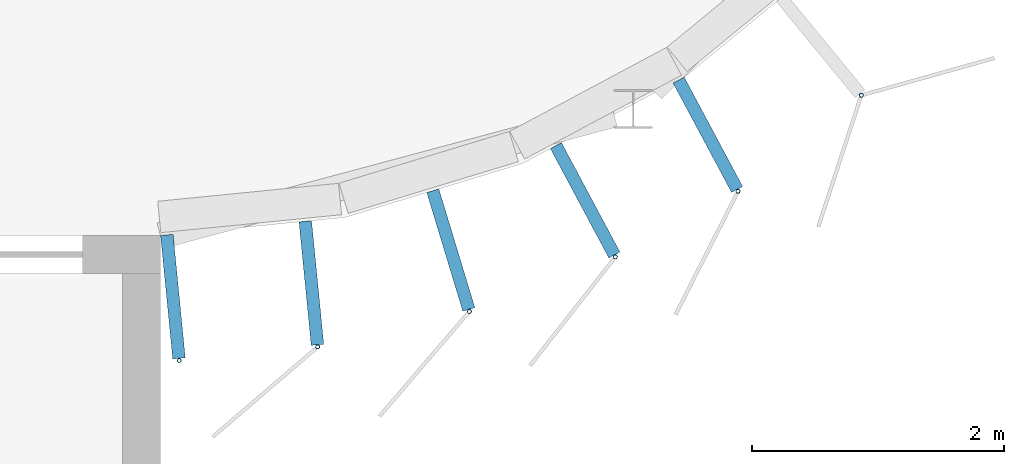
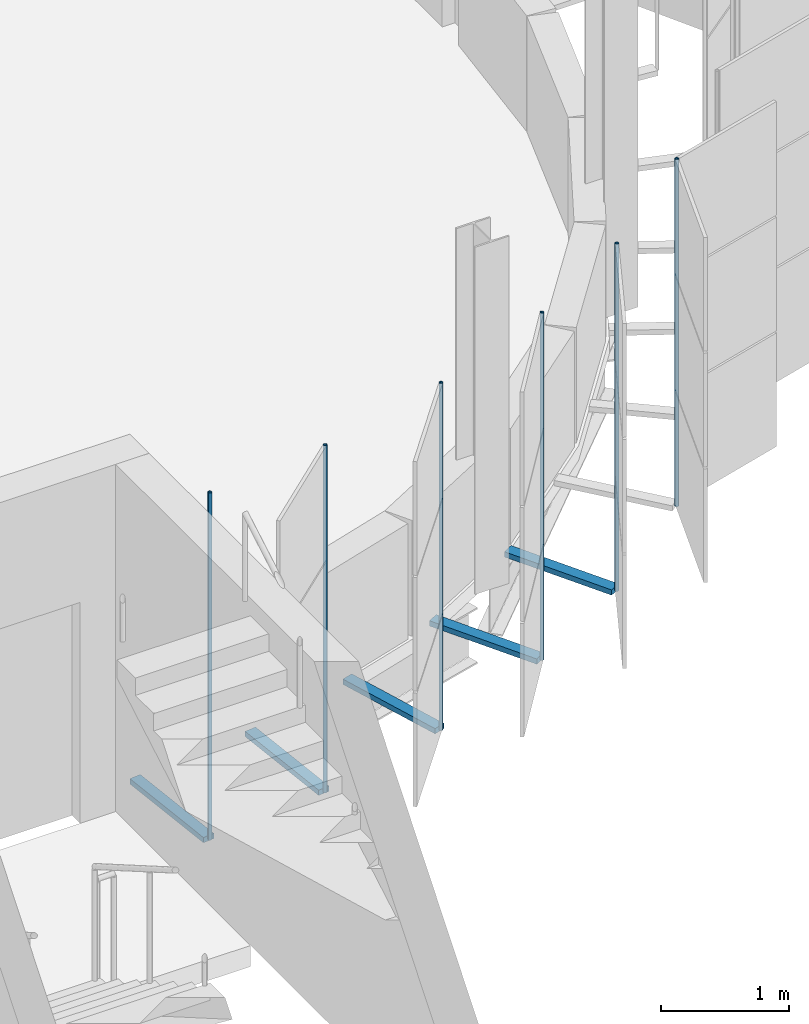
# One storey, part 92 of 199: 11 discrete accessories.
"""IFC4 building model written with IfcOpenShell, lengths in metres."""

from ifc_helpers import new_model, si_unit, direction, frame, origin, origin_2d, place, context, subcontext, project, spatial, rectangle, hollow_circle, extrude, material, material_profile, profile_set, type_object, element, save


model = new_model("IFC4")

# Units and contexts
model_context = context("Model", 3, precision=1e-05, world=origin(), true_north=direction((0.0, 1.0)))
body_context = subcontext(model_context, "Body", "Model", "MODEL_VIEW")
ifc_project = project(units=[si_unit("LENGTHUNIT", "METRE"), si_unit("AREAUNIT", "SQUARE_METRE"), si_unit("VOLUMEUNIT", "CUBIC_METRE"), si_unit("PLANEANGLEUNIT", "RADIAN"), si_unit("MASSUNIT", "GRAM", prefix="KILO")], contexts=[model_context])

# Site, building, storey
site_placement = place(None, origin())
site = spatial("IfcSite", under=ifc_project, at=site_placement, CompositionType="ELEMENT")
building_placement = place(site_placement, origin())
building = spatial("IfcBuilding", under=site, at=building_placement, Name="Parallax Yard Mobility Hub", CompositionType="ELEMENT")
storey_placement = place(building_placement, frame((0.0, 0.0, 9.89990234375)))
storey = spatial("IfcBuildingStorey", under=building, at=storey_placement, Name="L03", CompositionType="ELEMENT", Elevation=9.89990234375)

# Discrete accessories
ifc_material_1 = material(Name="Steel ASTM A36, hot-dip galvanised", Category="steel")
discrete_accessory_type_1 = type_object("IfcDiscreteAccessoryType", Name="Hinge bracket plate 100x50", PredefinedType="BRACKET", material=ifc_material_1)
for number, where, z_axis, x_axis, name in (
    (1, (217.5986328125, 22.015869140625, -0.02490234375), (0.0, 0.0, 1.0), (0.09801714033, -0.995184726672, 0.0), "Hinge bracket plate bay 32.1 level L03"),
    (2, (218.697021484375, 22.123779296875, -0.02490234375), (0.0, 0.0, 1.0), (0.09801714033, -0.995184726672, 0.0), "Hinge bracket plate bay 32.2 level L03"),
    (3, (219.80322265625, 22.38525390625, -0.02490234375), (0.0, 0.0, 1.0), (0.290284677254, -0.956940335732, 0.0), "Hinge bracket plate bay 32.3 level L03"),
    (4, (220.868896484375, 22.7802734375, -0.02490234375), (0.0, 0.0, 1.0), (0.471396736826, -0.881921264348, 0.0), "Hinge bracket plate bay 32.4 level L03"),
    (5, (221.84228515625, 23.30029296875, -0.02490234375), (0.0, 0.0, 1.0), (0.471396736826, -0.881921264348, 0.0), "Hinge bracket plate bay 32.5 level L03"),
):
    element("IfcDiscreteAccessory", number, at=place(storey_placement, frame(where, z_axis=z_axis, x_axis=x_axis)), inside=storey, type_object=discrete_accessory_type_1, Name=name, PredefinedType="BRACKET", context=body_context, shape_type="SweptSolid", body=[
        extrude(rectangle(XDim=0.984130859375, YDim=0.10009765625, at=origin_2d()), origin(), (0.0, 0.0, 1.0), 0.050048828125),
    ])
ifc_material_2 = material(Name="Steel ASTM A500 Gr C, hot-dip galvanised", Category="steel")
ifc_material_profile = material_profile(ifc_material_2, hollow_circle(Radius=0.016845703125, WallThickness=0.003173828125, at=origin_2d()), Name="CHS 33.7x3.2")
ifc_profile_set = profile_set([ifc_material_profile], Name="Steel ASTM A500 Gr C, hot-dip galvanised")
discrete_accessory_type_2 = type_object("IfcDiscreteAccessoryType", Name="Hinge post CHS 33.7x3.2", PredefinedType="BRACKET", material=ifc_profile_set)
for number, where, z_axis, x_axis, name in (
    (6, (217.6484375, 21.509765625, 0.0), (0.0, 0.0, 1.0), (1.0, 0.0, 0.0), "Hinge post bay 32.1 level L03"),
    (7, (218.746826171875, 21.617919921875, 0.0), (0.0, 0.0, 1.0), (1.0, 0.0, 0.0), "Hinge post bay 32.2 level L03"),
    (8, (219.95068359375, 21.898681640625, 0.0), (0.0, 0.0, 1.0), (1.0, 0.0, 0.0), "Hinge post bay 32.3 level L03"),
    (9, (221.108642578125, 22.331787109375, 0.0), (0.0, 0.0, 1.0), (1.0, 0.0, 0.0), "Hinge post bay 32.4 level L03"),
    (10, (222.08203125, 22.85205078125, 0.0), (0.0, 0.0, 1.0), (1.0, 0.0, 0.0), "Hinge post bay 32.5 level L03"),
    (11, (223.059326171875, 23.61328125, 0.0), (0.0, 0.0, 1.0), (1.0, 0.0, 0.0), "Hinge post bay 32.6 level L03"),
):
    element("IfcDiscreteAccessory", number, at=place(storey_placement, frame(where, z_axis=z_axis, x_axis=x_axis)), inside=storey, type_object=discrete_accessory_type_2, Name=name, PredefinedType="BRACKET", context=body_context, shape_type="SweptSolid", body=[
        extrude(hollow_circle(Radius=0.016845703125, WallThickness=0.003173828125, at=origin_2d()), origin(), (0.0, 0.0, 1.0), 3.300048828125),
    ])

save(model, "model.ifc")
